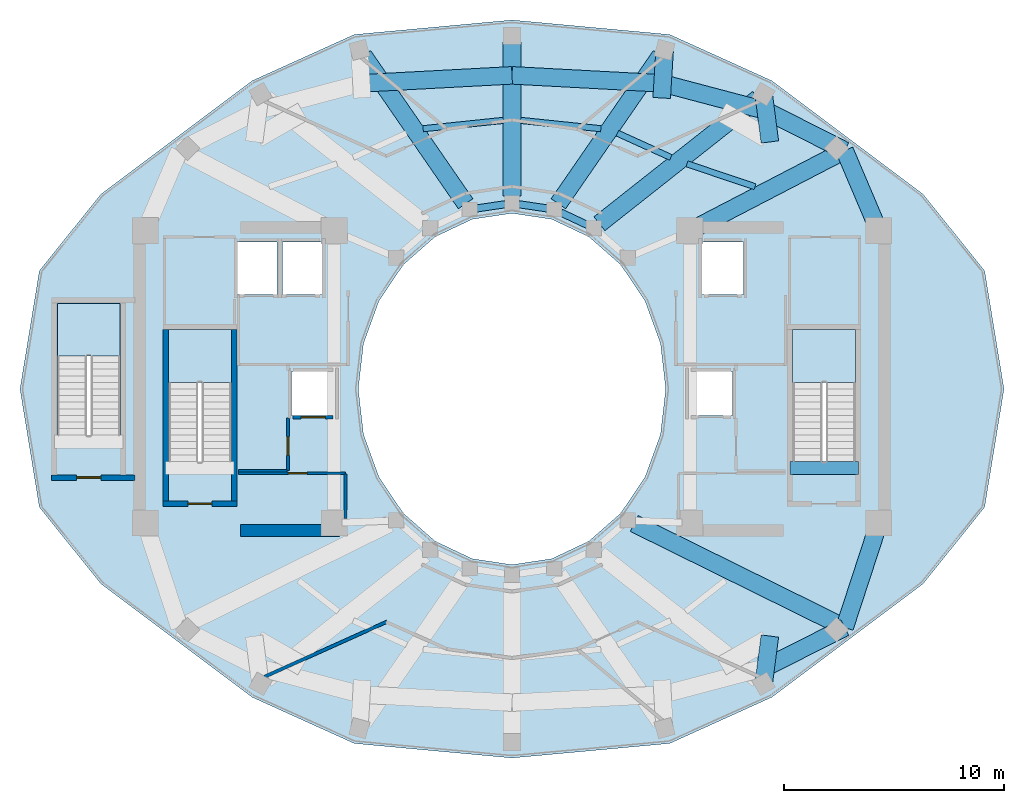
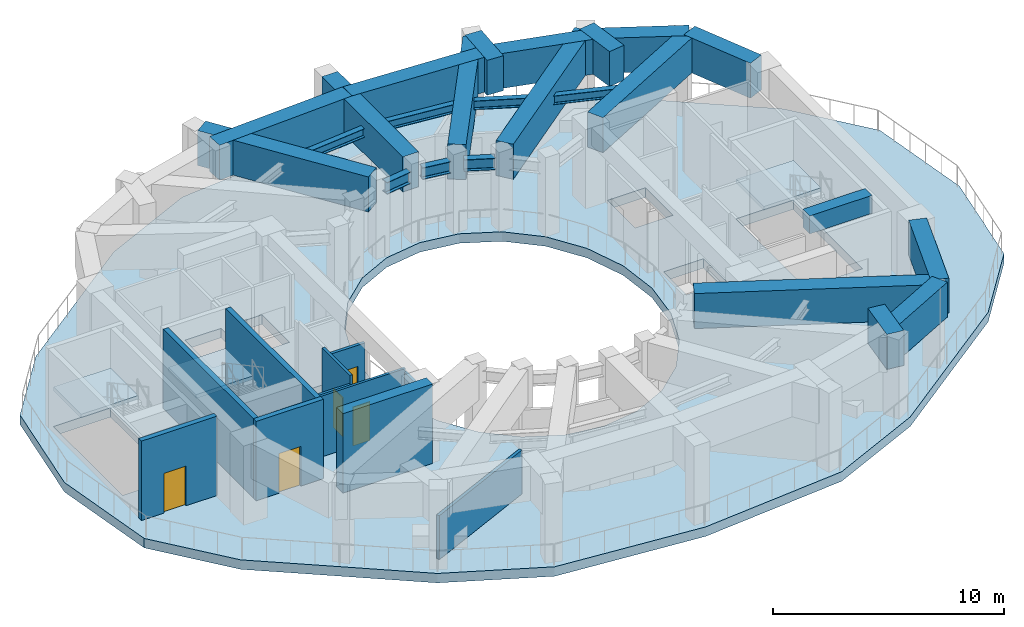
# One storey, part 2 of 9: 24 beams, 11 walls, 5 doors, 4 slabs, 5 openings, 3 elements without a shape of their own.
"""IFC4 building model written with IfcOpenShell, lengths in metres."""

from ifc_helpers import new_model, si_unit, direction, frame, frame_2d, origin, origin_2d, place, context, subcontext, project, spatial, polyline, rectangle, i_section, outline, extrude, material, layer, layer_set, material_profile, profile_set, type_object, element, fill, aggregate, save


model = new_model("IFC4")

# Units and contexts
model_context = context("Model", 3, precision=1e-05, world=origin(), true_north=direction((0.0, 1.0)))
body_context = subcontext(model_context, "Body", "Model", "MODEL_VIEW")
ifc_project = project(units=[si_unit("LENGTHUNIT", "METRE"), si_unit("AREAUNIT", "SQUARE_METRE"), si_unit("VOLUMEUNIT", "CUBIC_METRE"), si_unit("PLANEANGLEUNIT", "RADIAN"), si_unit("MASSUNIT", "GRAM", prefix="KILO")], contexts=[model_context])

# Site, building, storey
site_placement = place(None, origin())
site = spatial("IfcSite", under=ifc_project, at=site_placement, CompositionType="ELEMENT")
building_placement = place(site_placement, origin())
building = spatial("IfcBuilding", under=site, at=building_placement, Name="Solvane Sanctuary Tower", CompositionType="ELEMENT")
storey_placement = place(building_placement, frame((0.0, 0.0, 197.39990234375)))
storey = spatial("IfcBuildingStorey", under=building, at=storey_placement, Name="L60", CompositionType="ELEMENT", Elevation=197.39990234375)

# Beams
ifc_material_1 = material(Name="Concrete C70/85", Category="concrete")
ifc_material_profile_1 = material_profile(ifc_material_1, rectangle(XDim=0.60009765625, YDim=0.949951171875, at=origin_2d()), Name="RC600X950")
ifc_profile_set_1 = profile_set([ifc_material_profile_1], Name="Concrete C70/85")
beam_type_1 = type_object("IfcBeamType", Name="Beam B-COUPLE RC600X950", PredefinedType="LINTEL", material=ifc_profile_set_1)
beam_1_placement = place(storey_placement, frame((44.64990234375, 19.399169921875, 3.72509765625), z_axis=(1.0, 0.0, 0.0), x_axis=(0.0, 1.0, 0.0)))
element("IfcBeam", 1, at=beam_1_placement, inside=storey, type_object=beam_type_1, Name="L60 ST-2 Stair Floor Landing Trimmer", PredefinedType="LINTEL", context=body_context, shape_type="SweptSolid", body=[
    extrude(rectangle(XDim=0.60009765625, YDim=0.949951171875, at=origin_2d()), origin(), (0.0, 0.0, 1.0), 3.1201171875),
])
ifc_material_2 = material(Name="Steel ASTM A992 Grade 50", Category="steel")
ifc_material_profile_2 = material_profile(ifc_material_2, i_section(OverallWidth=0.324951171875, OverallDepth=0.615966796875, WebThickness=0.013916015625, FlangeThickness=0.021484375, FilletRadius=0.01611328125, at=origin_2d()), Name="W24X117")
ifc_profile_set_2 = profile_set([ifc_material_profile_2], Name="Steel ASTM A992 Grade 50")
beam_type_2 = type_object("IfcBeamType", Name="Beam B-RING-IN2 W24X117", PredefinedType="BEAM", material=ifc_profile_set_2)
for number, where, z_axis, x_axis, name in (
    (2, (30.3857421875, 31.218994140625, 3.39013671875), (0.989056121481, 0.147539786368, 0.0), (-0.147539786368, 0.989056121481, 0.0), "L60 Inner Light-Well Ring Beam IC05-IC04"),
    (3, (32.31640625, 31.41259765625, 3.39013671875), (0.989056121481, -0.147539786368, 0.0), (0.147539786368, 0.989056121481, 0.0), "L60 Inner Light-Well Ring Beam IC04-IC03"),
):
    element("IfcBeam", number, at=place(storey_placement, frame(where, z_axis=z_axis, x_axis=x_axis)), inside=storey, type_object=beam_type_2, Name=name, PredefinedType="BEAM", context=body_context, shape_type="SweptSolid", body=[
        extrude(i_section(OverallWidth=0.324951171875, OverallDepth=0.615966796875, WebThickness=0.013916015625, FlangeThickness=0.021484375, FilletRadius=0.01611328125, at=origin_2d()), origin(), (0.0, 0.0, 1.0), 1.312255859375),
    ])
beam_2_placement = place(storey_placement, frame((34.220458984375, 31.03564453125, 3.39013671875), z_axis=(0.905134542189, -0.425125229241, 0.0), x_axis=(0.425125229241, 0.905134542189, 0.0)))
element("IfcBeam", 4, at=beam_2_placement, inside=storey, type_object=beam_type_2, Name="L60 Inner Light-Well Ring Beam IC03-IC02", PredefinedType="BEAM", context=body_context, shape_type="SweptSolid", body=[
    extrude(i_section(OverallWidth=0.324951171875, OverallDepth=0.615966796875, WebThickness=0.013916015625, FlangeThickness=0.021484375, FilletRadius=0.01611328125, at=origin_2d()), origin(), (0.0, 0.0, 1.0), 1.347900390625),
])
ifc_material_profile_3 = material_profile(ifc_material_2, i_section(OverallWidth=0.280029296875, OverallDepth=0.462890625, WebThickness=0.0107421875, FlangeThickness=0.017333984375, FilletRadius=0.013916015625, at=origin_2d()), Name="W18X76")
ifc_profile_set_3 = profile_set([ifc_material_profile_3], Name="Steel ASTM A992 Grade 50")
beam_type_3 = type_object("IfcBeamType", Name="Beam B-SEC-JOIST W18X76", PredefinedType="JOIST", material=ifc_profile_set_3)
beam_3_placement = place(storey_placement, frame((27.952392578125, 34.849853515625, 3.466552734375), z_axis=(0.994655148104, 0.103252778901, 0.0), x_axis=(-0.103252778901, 0.994655148104, 0.0)))
element("IfcBeam", 5, at=beam_3_placement, inside=storey, type_object=beam_type_3, Name="L60 Secondary Circumferential Joist 05-04", PredefinedType="JOIST", context=body_context, shape_type="SweptSolid", body=[
    extrude(i_section(OverallWidth=0.280029296875, OverallDepth=0.462890625, WebThickness=0.0107421875, FlangeThickness=0.017333984375, FilletRadius=0.013916015625, at=origin_2d()), origin(), (0.0, 0.0, 1.0), 3.67431640625),
])
beam_4_placement = place(storey_placement, frame((32.392822265625, 35.229248046875, 3.466552734375), z_axis=(0.994654439673, -0.10325960313, 0.0), x_axis=(0.10325960313, 0.994654439673, 0.0)))
element("IfcBeam", 6, at=beam_4_placement, inside=storey, type_object=beam_type_3, Name="L60 Secondary Circumferential Joist 04-03", PredefinedType="JOIST", context=body_context, shape_type="SweptSolid", body=[
    extrude(i_section(OverallWidth=0.280029296875, OverallDepth=0.462890625, WebThickness=0.0107421875, FlangeThickness=0.017333984375, FilletRadius=0.013916015625, at=origin_2d()), origin(), (0.0, 0.0, 1.0), 3.674072265625),
])
beam_5_placement = place(storey_placement, frame((36.800048828125, 34.645751953125, 3.466552734375), z_axis=(0.910622872015, -0.413238411771, 0.0), x_axis=(0.413238411771, 0.910622872015, 0.0)))
element("IfcBeam", 7, at=beam_5_placement, inside=storey, type_object=beam_type_3, Name="L60 Secondary Circumferential Joist 03-02", PredefinedType="JOIST", context=body_context, shape_type="SweptSolid", body=[
    extrude(i_section(OverallWidth=0.280029296875, OverallDepth=0.462890625, WebThickness=0.0107421875, FlangeThickness=0.017333984375, FilletRadius=0.013916015625, at=origin_2d()), origin(), (0.0, 0.0, 1.0), 2.672119140625),
])
beam_6_placement = place(storey_placement, frame((39.96728515625, 33.251953125, 3.466552734375), z_axis=(0.947587535957, -0.319496262419, 0.0), x_axis=(0.319496262419, 0.947587535957, 0.0)))
element("IfcBeam", 8, at=beam_6_placement, inside=storey, type_object=beam_type_3, Name="L60 Secondary Circumferential Joist 02-01", PredefinedType="JOIST", context=body_context, shape_type="SweptSolid", body=[
    extrude(i_section(OverallWidth=0.280029296875, OverallDepth=0.462890625, WebThickness=0.0107421875, FlangeThickness=0.017333984375, FilletRadius=0.013916015625, at=origin_2d()), origin(), (0.0, 0.0, 1.0), 3.269775390625),
])
ifc_material_profile_4 = material_profile(ifc_material_1, rectangle(XDim=0.800048828125, YDim=1.85009765625, at=origin_2d()), Name="RC800X1850")
ifc_profile_set_4 = profile_set([ifc_material_profile_4], Name="Concrete C70/85")
beam_type_4 = type_object("IfcBeamType", Name="Beam B-XFER-BLK RC800X1850", PredefinedType="BEAM", material=ifc_profile_set_4)
beam_7_placement = place(storey_placement, frame((40.41943359375, 30.365966796875, 3.275146484375), z_axis=(0.88755891037, 0.460694237671, 0.0), x_axis=(-0.460694237671, 0.88755891037, 0.0)))
element("IfcBeam", 9, at=beam_7_placement, inside=storey, type_object=beam_type_4, Name="L60 Block-Shift Radial Transfer Girder 01A", PredefinedType="BEAM", context=body_context, shape_type="SweptSolid", body=[
    extrude(rectangle(XDim=0.800048828125, YDim=1.85009765625, at=origin_2d()), origin(), (0.0, 0.0, 1.0), 7.57763671875),
])
beam_8_placement = place(storey_placement, frame((35.981201171875, 30.52490234375, 3.275146484375), z_axis=(0.784698765769, 0.619877283824, 0.0), x_axis=(-0.619877283824, 0.784698765769, 0.0)))
element("IfcBeam", 10, at=beam_8_placement, inside=storey, type_object=beam_type_4, Name="L60 Block-Shift Radial Transfer Girder 02A", PredefinedType="BEAM", context=body_context, shape_type="SweptSolid", body=[
    extrude(rectangle(XDim=0.800048828125, YDim=1.85009765625, at=origin_2d()), origin(), (0.0, 0.0, 1.0), 9.205810546875),
])
beam_9_placement = place(storey_placement, frame((43.462646484375, 36.380126953125, 3.275146484375), z_axis=(0.129567347912, -0.991570623988, 0.0), x_axis=(0.991570623988, 0.129567347912, 0.0)))
element("IfcBeam", 11, at=beam_9_placement, inside=storey, type_object=beam_type_4, Name="L60 Block-Shift Transfer Tie 02B", PredefinedType="BEAM", context=body_context, shape_type="SweptSolid", body=[
    extrude(rectangle(XDim=0.800048828125, YDim=1.85009765625, at=origin_2d()), origin(), (0.0, 0.0, 1.0), 2.14990234375),
])
beam_10_placement = place(storey_placement, frame((34.112548828125, 31.43505859375, 3.275146484375), z_axis=(0.567906920468, 0.823092783157, 0.0), x_axis=(-0.823092783157, 0.567906920468, 0.0)))
element("IfcBeam", 12, at=beam_10_placement, inside=storey, type_object=beam_type_4, Name="L60 Block-Shift Radial Transfer Girder 03A", PredefinedType="BEAM", context=body_context, shape_type="SweptSolid", body=[
    extrude(rectangle(XDim=0.800048828125, YDim=1.85009765625, at=origin_2d()), origin(), (0.0, 0.0, 1.0), 8.197998046875),
])
beam_11_placement = place(storey_placement, frame((38.94677734375, 38.396484375, 3.275146484375), z_axis=(-0.061091593214, -0.998132164214, 0.0), x_axis=(0.998132164214, -0.061091593214, 0.0)))
element("IfcBeam", 13, at=beam_11_placement, inside=storey, type_object=beam_type_4, Name="L60 Block-Shift Transfer Tie 03B", PredefinedType="BEAM", context=body_context, shape_type="SweptSolid", body=[
    extrude(rectangle(XDim=0.800048828125, YDim=1.85009765625, at=origin_2d()), origin(), (0.0, 0.0, 1.0), 2.14990234375),
])
beam_12_placement = place(storey_placement, frame((32.0, 31.780029296875, 3.275146484375), z_axis=(0.0, 1.0, 0.0), x_axis=(-1.0, 0.0, 0.0)))
element("IfcBeam", 14, at=beam_12_placement, inside=storey, type_object=beam_type_4, Name="L60 Block-Shift Radial Transfer Girder 04A", PredefinedType="BEAM", context=body_context, shape_type="SweptSolid", body=[
    extrude(rectangle(XDim=0.800048828125, YDim=1.85009765625, at=origin_2d()), origin(), (0.0, 0.0, 1.0), 7.02001953125),
])
beam_13_placement = place(storey_placement, frame((29.887451171875, 31.43505859375, 3.275146484375), z_axis=(-0.567906920468, 0.823092783157, 0.0), x_axis=(-0.823092783157, -0.567906920468, 0.0)))
element("IfcBeam", 15, at=beam_13_placement, inside=storey, type_object=beam_type_4, Name="L60 Block-Shift Radial Transfer Girder 05A", PredefinedType="BEAM", context=body_context, shape_type="SweptSolid", body=[
    extrude(rectangle(XDim=0.800048828125, YDim=1.85009765625, at=origin_2d()), origin(), (0.0, 0.0, 1.0), 8.197998046875),
])
beam_14_placement = place(storey_placement, frame((43.462646484375, 9.619873046875, 3.275146484375), z_axis=(0.129567347912, 0.991570623988, 0.0), x_axis=(-0.991570623988, 0.129567347912, 0.0)))
element("IfcBeam", 16, at=beam_14_placement, inside=storey, type_object=beam_type_4, Name="L60 Block-Shift Transfer Tie 13B", PredefinedType="BEAM", context=body_context, shape_type="SweptSolid", body=[
    extrude(rectangle(XDim=0.800048828125, YDim=1.85009765625, at=origin_2d()), origin(), (0.0, 0.0, 1.0), 2.14990234375),
])
beam_15_placement = place(storey_placement, frame((37.56201171875, 16.876220703125, 3.275146484375), z_axis=(0.896600237992, -0.442840844134, 0.0), x_axis=(0.442840844134, 0.896600237992, 0.0)))
element("IfcBeam", 17, at=beam_15_placement, inside=storey, type_object=beam_type_4, Name="L60 Block-Shift Radial Transfer Girder 14A", PredefinedType="BEAM", context=body_context, shape_type="SweptSolid", body=[
    extrude(rectangle(XDim=0.800048828125, YDim=1.85009765625, at=origin_2d()), origin(), (0.0, 0.0, 1.0), 10.688232421875),
])
for number, where, z_axis, x_axis, name in (
    (18, (25.143798828125, 36.914306640625, 3.275146484375), (0.998580350788, 0.053266152672, 0.0), (-0.053266152672, 0.998580350788, 0.0), "L60 Perimeter Step Transfer Ring NTC05-NTC04"),
    (19, (32.0, 37.280029296875, 3.275146484375), (0.998580350788, -0.053266152672, 0.0), (0.053266152672, 0.998580350788, 0.0), "L60 Perimeter Step Transfer Ring NTC04-NTC03"),
):
    element("IfcBeam", number, at=place(storey_placement, frame(where, z_axis=z_axis, x_axis=x_axis)), inside=storey, type_object=beam_type_4, Name=name, PredefinedType="BEAM", context=body_context, shape_type="SweptSolid", body=[
        extrude(rectangle(XDim=0.800048828125, YDim=1.85009765625, at=origin_2d()), origin(), (0.0, 0.0, 1.0), 6.865966796875),
    ])
beam_16_placement = place(storey_placement, frame((38.856201171875, 36.914306640625, 3.275146484375), z_axis=(0.966814415535, -0.255479717224, 0.0), x_axis=(0.255479717224, 0.966814415535, 0.0)))
element("IfcBeam", 20, at=beam_16_placement, inside=storey, type_object=beam_type_4, Name="L60 Perimeter Step Transfer Ring NTC03-NTC02", PredefinedType="BEAM", context=body_context, shape_type="SweptSolid", body=[
    extrude(rectangle(XDim=0.800048828125, YDim=1.85009765625, at=origin_2d()), origin(), (0.0, 0.0, 1.0), 4.8603515625),
])
beam_17_placement = place(storey_placement, frame((43.55517578125, 35.672607421875, 3.275146484375), z_axis=(0.892354283523, -0.451335609804, 0.0), x_axis=(0.451335609804, 0.892354283523, 0.0)))
element("IfcBeam", 21, at=beam_17_placement, inside=storey, type_object=beam_type_4, Name="L60 Perimeter Step Transfer Ring NTC02-NTC01", PredefinedType="BEAM", context=body_context, shape_type="SweptSolid", body=[
    extrude(rectangle(XDim=0.800048828125, YDim=1.85009765625, at=origin_2d()), origin(), (0.0, 0.0, 1.0), 4.02294921875),
])
beam_18_placement = place(storey_placement, frame((47.14501953125, 33.85693359375, 3.275146484375), z_axis=(0.391292272536, -0.920266460029, 0.0), x_axis=(0.920266460029, 0.391292272536, 0.0)))
element("IfcBeam", 22, at=beam_18_placement, inside=storey, type_object=beam_type_4, Name="L60 Perimeter Step Transfer Ring NTC01-CE3", PredefinedType="BEAM", context=body_context, shape_type="SweptSolid", body=[
    extrude(rectangle(XDim=0.800048828125, YDim=1.85009765625, at=origin_2d()), origin(), (0.0, 0.0, 1.0), 3.61376953125),
])
beam_19_placement = place(storey_placement, frame((43.55517578125, 10.327392578125, 3.275146484375), z_axis=(0.892354283523, 0.451335609804, 0.0), x_axis=(-0.451335609804, 0.892354283523, 0.0)))
element("IfcBeam", 23, at=beam_19_placement, inside=storey, type_object=beam_type_4, Name="L60 Perimeter Step Transfer Ring NTC13-NTC14", PredefinedType="BEAM", context=body_context, shape_type="SweptSolid", body=[
    extrude(rectangle(XDim=0.800048828125, YDim=1.85009765625, at=origin_2d()), origin(), (0.0, 0.0, 1.0), 4.02294921875),
])
beam_20_placement = place(storey_placement, frame((47.14501953125, 12.14306640625, 3.275146484375), z_axis=(0.310703240014, 0.950506968225, 0.0), x_axis=(-0.950506968225, 0.310703240014, 0.0)))
element("IfcBeam", 24, at=beam_20_placement, inside=storey, type_object=beam_type_4, Name="L60 Perimeter Step Transfer Ring NTC14-CE2", PredefinedType="BEAM", context=body_context, shape_type="SweptSolid", body=[
    extrude(rectangle(XDim=0.800048828125, YDim=1.85009765625, at=origin_2d()), origin(), (0.0, 0.0, 1.0), 4.644775390625),
])

# Stair, slab
ifc_material_3 = material(Name="Concrete C45/55", Category="concrete")
stair_type = type_object("IfcStairType", Name="Stair ST-TOW", PredefinedType="HALF_TURN_STAIR", material=ifc_material_3)
stair_1_placement = place(storey_placement, origin())
stair_1 = element("IfcStair", 25, at=stair_1_placement, inside=storey, type_object=stair_type, Name="L60 Exit Stair ST-1 West Core", PredefinedType="HALF_TURN_STAIR")
ifc_layer_1 = layer(ifc_material_3, 0.199951171875, Name="Concrete C45/55")
ifc_layer_set_1 = layer_set([ifc_layer_1], Name="Concrete C45/55")
slab_type_1 = type_object("IfcSlabType", Name="Slab SL-LAND-180", PredefinedType="LANDING", material=ifc_layer_set_1)
slab_1_placement = place(storey_placement, frame((0.0, 0.0, 1.900146484375)))
slab_1 = element("IfcSlab", 26, at=slab_1_placement, type_object=slab_type_1, Name="ST-1 landing 1", PredefinedType="LANDING", context=body_context, shape_type="SweptSolid", body=[
    extrude(outline(polyline([(19.219970703125, 23.300048828125), (19.219970703125, 25.699951171875), (16.360107421875, 25.699951171875), (16.360107421875, 23.300048828125), (19.219970703125, 23.300048828125)])), origin(), (0.0, 0.0, 1.0), 0.199951171875),
])
aggregate(stair_1, [slab_1])

stair_2_placement = place(storey_placement, origin())
stair_2 = element("IfcStair", 27, at=stair_2_placement, inside=storey, type_object=stair_type, Name="L60 Exit Stair ST-2 East Core", PredefinedType="HALF_TURN_STAIR")
slab_2_placement = place(storey_placement, frame((0.0, 0.0, 1.900146484375)))
slab_2 = element("IfcSlab", 28, at=slab_2_placement, type_object=slab_type_1, Name="ST-2 landing 1", PredefinedType="LANDING", context=body_context, shape_type="SweptSolid", body=[
    extrude(outline(polyline([(47.639892578125, 23.300048828125), (47.639892578125, 25.699951171875), (44.780029296875, 25.699951171875), (44.780029296875, 23.300048828125), (47.639892578125, 23.300048828125)])), origin(), (0.0, 0.0, 1.0), 0.199951171875),
])
aggregate(stair_2, [slab_2])

stair_3_placement = place(storey_placement, origin())
stair_3 = element("IfcStair", 29, at=stair_3_placement, inside=storey, type_object=stair_type, Name="L60 Exit Stair ST-3 Pilgrim Tower Stair", PredefinedType="HALF_TURN_STAIR")
slab_3_placement = place(storey_placement, frame((0.0, 0.0, 1.900146484375)))
slab_3 = element("IfcSlab", 30, at=slab_3_placement, type_object=slab_type_1, Name="ST-3 landing 1", PredefinedType="LANDING", context=body_context, shape_type="SweptSolid", body=[
    extrude(outline(polyline([(14.159912109375, 24.5), (14.159912109375, 26.89990234375), (11.300048828125, 26.89990234375), (11.300048828125, 24.5), (14.159912109375, 24.5)])), origin(), (0.0, 0.0, 1.0), 0.199951171875),
])
aggregate(stair_3, [slab_3])

# Slab
ifc_material_4 = material(Name="Concrete C60/75", Category="concrete")
ifc_layer_2 = layer(ifc_material_4, 0.5, Name="Concrete C60/75")
ifc_layer_set_2 = layer_set([ifc_layer_2], Name="Concrete C60/75")
slab_type_2 = type_object("IfcSlabType", Name="Slab SL-XFER-500", PredefinedType="FLOOR", material=ifc_layer_set_2)
slab_4_placement = place(storey_placement, frame((0.0, 0.0, -0.5)))
element("IfcSlab", 31, at=slab_4_placement, inside=storey, type_object=slab_type_2, Name="L60 Primary Structural Slab", PredefinedType="FLOOR", context=body_context, shape_type="SweptSolid", body=[
    extrude(outline(polyline([(54.39990234375, 23.0), (53.517333984375, 28.385498046875), (50.7080078125, 31.87744140625), (47.270751953125, 34.453125), (43.836669921875, 37.031005859375), (39.1806640625, 39.137939453125), (32.0, 39.800048828125), (24.8193359375, 39.137939453125), (20.163330078125, 37.031005859375), (16.729248046875, 34.453125), (13.2919921875, 31.87744140625), (10.482666015625, 28.385498046875), (9.60009765625, 23.0), (10.482666015625, 17.614501953125), (13.2919921875, 14.12255859375), (16.729248046875, 11.546875), (20.163330078125, 8.968994140625), (24.8193359375, 6.862060546875), (32.0, 6.199951171875), (39.1806640625, 6.862060546875), (43.836669921875, 8.968994140625), (47.270751953125, 11.546875), (50.7080078125, 14.12255859375), (53.517333984375, 17.614501953125), (54.39990234375, 23.0)]), holes=[polyline([(38.761474609375, 20.929443359375), (38.062255859375, 19.0), (36.94970703125, 17.343017578125), (35.5, 16.07177734375), (33.811767578125, 15.272705078125), (32.0, 15.0), (30.188232421875, 15.272705078125), (28.5, 16.07177734375), (27.05029296875, 17.343017578125), (25.937744140625, 19.0), (25.238525390625, 20.929443359375), (25.0, 23.0), (25.238525390625, 25.070556640625), (25.937744140625, 27.0), (27.05029296875, 28.656982421875), (28.5, 29.92822265625), (30.188232421875, 30.727294921875), (32.0, 31.0), (33.811767578125, 30.727294921875), (35.5, 29.92822265625), (36.94970703125, 28.656982421875), (38.062255859375, 27.0), (38.761474609375, 25.070556640625), (39.0, 23.0), (38.761474609375, 20.929443359375)]), polyline([(16.360107421875, 19.699951171875), (16.360107421875, 25.699951171875), (19.219970703125, 25.699951171875), (19.219970703125, 19.699951171875), (16.360107421875, 19.699951171875)]), polyline([(44.780029296875, 19.699951171875), (44.780029296875, 25.699951171875), (47.639892578125, 25.699951171875), (47.639892578125, 19.699951171875), (44.780029296875, 19.699951171875)]), polyline([(11.300048828125, 20.89990234375), (11.300048828125, 26.89990234375), (14.159912109375, 26.89990234375), (14.159912109375, 20.89990234375), (11.300048828125, 20.89990234375)]), polyline([(21.949951171875, 23.800048828125), (23.949951171875, 23.800048828125), (23.949951171875, 21.800048828125), (21.949951171875, 21.800048828125), (21.949951171875, 23.800048828125)]), polyline([(40.050048828125, 23.800048828125), (42.050048828125, 23.800048828125), (42.050048828125, 21.800048828125), (40.050048828125, 21.800048828125), (40.050048828125, 23.800048828125)]), polyline([(19.5, 29.699951171875), (21.300048828125, 29.699951171875), (21.300048828125, 27.300048828125), (19.5, 27.300048828125), (19.5, 29.699951171875)]), polyline([(21.550048828125, 29.699951171875), (23.35009765625, 29.699951171875), (23.35009765625, 27.300048828125), (21.550048828125, 27.300048828125), (21.550048828125, 29.699951171875)]), polyline([(40.64990234375, 29.699951171875), (42.550048828125, 29.699951171875), (42.550048828125, 27.300048828125), (40.64990234375, 27.300048828125), (40.64990234375, 29.699951171875)])]), origin(), (0.0, 0.0, 1.0), 0.5),
])

# Walls
ifc_material_5 = material(Name="Concrete C50/60", Category="concrete")
ifc_layer_3 = layer(ifc_material_5, 0.550048828125, Name="Concrete C50/60")
ifc_layer_set_3 = layer_set([ifc_layer_3], Name="Concrete C50/60")
wall_type_1 = type_object("IfcWallType", Name="Wall W-CORE-550", PredefinedType="SHEAR", material=ifc_layer_set_3)
wall_1_placement = place(storey_placement, frame((19.64990234375, 16.550048828125, 0.0), z_axis=(0.0, 0.0, 1.0), x_axis=(1.0, 0.0, 0.0)))
element("IfcWall", 32, at=wall_1_placement, inside=storey, type_object=wall_type_1, Name="L60 Core Shear Wall WC-S", PredefinedType="SHEAR", context=body_context, shape_type="SweptSolid", body=[
    extrude(rectangle(XDim=4.5, YDim=0.550048828125, at=frame_2d((2.25, 0.0))), origin(), (0.0, 0.0, 1.0), 4.2001953125),
])
ifc_material_6 = material(Name="Acoustic Gypsum Partition Board")
ifc_layer_4 = layer(ifc_material_6, 0.14990234375, Name="Acoustic Gypsum Partition Board")
ifc_layer_set_4 = layer_set([ifc_layer_4], Name="Acoustic Gypsum Partition Board")
wall_type_2 = type_object("IfcWallType", Name="Wall W-CORR-150", PredefinedType="PARTITIONING", material=ifc_layer_set_4)
wall_2_placement = place(storey_placement, frame((26.320556640625, 12.41162109375, 0.0), z_axis=(0.0, 0.0, 1.0), x_axis=(-0.912031098102, -0.410121050538, 0.0)))
element("IfcWall", 33, at=wall_2_placement, inside=storey, type_object=wall_type_2, Name="L60 Refuge Area Radial Screen 240", PredefinedType="PARTITIONING", context=body_context, shape_type="SweptSolid", body=[
    extrude(rectangle(XDim=6.12548828125, YDim=0.14990234375, at=frame_2d((3.062744140625, 0.0))), origin(), (0.0, 0.0, 1.0), 2.320068359375),
])

# Wall, opening, door
ifc_layer_5 = layer(ifc_material_6, 0.125, Name="Acoustic Gypsum Partition Board")
ifc_layer_set_5 = layer_set([ifc_layer_5], Name="Acoustic Gypsum Partition Board")
wall_type_3 = type_object("IfcWallType", Name="Wall W-PART-125", PredefinedType="PARTITIONING", material=ifc_layer_set_5)
wall_3_placement = place(storey_placement, frame((19.550048828125, 19.159912109375, 0.0), z_axis=(0.0, 0.0, 1.0), x_axis=(1.0, 0.0, 0.0)))
wall_3 = element("IfcWall", 34, at=wall_3_placement, inside=storey, type_object=wall_type_3, Name="L60 Reclaimed Room Partition PLW", PredefinedType="PARTITIONING", context=body_context, shape_type="SweptSolid", body=[
    extrude(rectangle(XDim=4.869873046875, YDim=0.125, at=frame_2d((2.43505859375, 0.0))), origin(), (0.0, 0.0, 1.0), 3.22021484375),
])
opening_1_placement = place(wall_3_placement, frame((2.271728515625, 0.0, 0.0)))
opening_1 = element("IfcOpeningElement", 35, at=opening_1_placement, cuts=wall_3, Name="Opening D-L60-06", PredefinedType="OPENING", context=body_context, shape_type="SweptSolid", body=[
    extrude(rectangle(XDim=0.85009765625, YDim=2.050048828125, at=frame_2d((0.425048828125, 1.02490234375))), frame((0.0, 0.072509765625, 0.0), z_axis=(0.0, -1.0, 0.0), x_axis=(1.0, 0.0, 0.0)), (0.0, 0.0, 1.0), 0.14501953125),
])
ifc_material_7 = material(Name="Architectural Stainless Steel 316", Category="steel")
door_type_1 = type_object("IfcDoorType", Name="Door D-RISER", OperationType="NOTDEFINED", PredefinedType="DOOR", material=ifc_material_7)
door_1_placement = place(opening_1_placement, origin())
door_1 = element("IfcDoor", 36, at=door_1_placement, inside=storey, type_object=door_type_1, Name="L60 Reclaimed Room Door PLW-1", OperationType="SINGLE_SWING_LEFT", OverallHeight=2.050048828125, OverallWidth=0.85009765625, PredefinedType="DOOR", context=body_context, shape_type="SweptSolid", body=[
    extrude(rectangle(XDim=0.85009765625, YDim=2.050048828125, at=frame_2d((0.425048828125, 1.02490234375))), frame((0.0, 0.02490234375, 0.0), z_axis=(0.0, -1.0, 0.0), x_axis=(1.0, 0.0, 0.0)), (0.0, 0.0, 1.0), 0.050048828125),
])
fill(opening_1, door_1)

# Wall
wall_4_placement = place(storey_placement, frame((24.419921875, 17.10009765625, 0.0), z_axis=(0.0, 0.0, 1.0), x_axis=(0.0, 1.0, 0.0)))
element("IfcWall", 37, at=wall_4_placement, inside=storey, type_object=wall_type_3, Name="L60 Reclaimed Room Closer Wall PLW-1", PredefinedType="PARTITIONING", context=body_context, shape_type="SweptSolid", body=[
    extrude(rectangle(XDim=2.039794921875, YDim=0.125, at=frame_2d((1.02001953125, 0.0))), origin(), (0.0, 0.0, 1.0), 3.052001953125),
])

# Wall, opening, door
wall_5_placement = place(storey_placement, frame((21.800048828125, 19.280029296875, 0.0), z_axis=(0.0, 0.0, 1.0), x_axis=(0.0, 1.0, 0.0)))
wall_5 = element("IfcWall", 38, at=wall_5_placement, inside=storey, type_object=wall_type_3, Name="L60 Reclaimed Room Partition PMW", PredefinedType="PARTITIONING", context=body_context, shape_type="SweptSolid", body=[
    extrude(rectangle(XDim=2.39990234375, YDim=0.125, at=frame_2d((1.199951171875, 0.0))), origin(), (0.0, 0.0, 1.0), 3.675048828125),
])
opening_2_placement = place(wall_5_placement, frame((0.699951171875, 0.0, 0.0)))
opening_2 = element("IfcOpeningElement", 39, at=opening_2_placement, cuts=wall_5, Name="Opening D-L60-08", PredefinedType="OPENING", context=body_context, shape_type="SweptSolid", body=[
    extrude(rectangle(XDim=0.85009765625, YDim=2.050048828125, at=frame_2d((0.425048828125, 1.02490234375))), frame((0.0, 0.072509765625, 0.0), z_axis=(0.0, -1.0, 0.0), x_axis=(1.0, 0.0, 0.0)), (0.0, 0.0, 1.0), 0.14501953125),
])
door_2_placement = place(opening_2_placement, origin())
door_2 = element("IfcDoor", 40, at=door_2_placement, inside=storey, type_object=door_type_1, Name="L60 Reclaimed Room Door PMW-1", OperationType="SINGLE_SWING_LEFT", OverallHeight=2.050048828125, OverallWidth=0.85009765625, PredefinedType="DOOR", context=body_context, shape_type="SweptSolid", body=[
    extrude(rectangle(XDim=0.85009765625, YDim=2.050048828125, at=frame_2d((0.425048828125, 1.02490234375))), frame((0.0, 0.02490234375, 0.0), z_axis=(0.0, -1.0, 0.0), x_axis=(1.0, 0.0, 0.0)), (0.0, 0.0, 1.0), 0.050048828125),
])
fill(opening_2, door_2)

# Wall
wall_6_placement = place(storey_placement, frame((19.550048828125, 19.280029296875, 0.0), z_axis=(0.0, 0.0, 1.0), x_axis=(1.0, 0.0, 0.0)))
element("IfcWall", 41, at=wall_6_placement, inside=storey, type_object=wall_type_3, Name="L60 Reclaimed Room Closer Wall PMW-1", PredefinedType="PARTITIONING", context=body_context, shape_type="SweptSolid", body=[
    extrude(rectangle(XDim=2.2099609375, YDim=0.125, at=frame_2d((1.10498046875, 0.0))), origin(), (0.0, 0.0, 1.0), 3.22021484375),
])

# Wall, opening, door
ifc_layer_6 = layer(ifc_material_5, 0.14990234375, Name="Concrete C50/60")
ifc_layer_set_6 = layer_set([ifc_layer_6], Name="Concrete C50/60")
wall_type_4 = type_object("IfcWallType", Name="Wall W-SHAFT-150", PredefinedType="SOLIDWALL", material=ifc_layer_set_6)
wall_7_placement = place(storey_placement, frame((22.0400390625, 21.719970703125, 0.0), z_axis=(0.0, 0.0, 1.0), x_axis=(1.0, 0.0, 0.0)))
wall_7 = element("IfcWall", 42, at=wall_7_placement, inside=storey, type_object=wall_type_4, Name="L60 PH-1 Lift Shaft Wall F", PredefinedType="SOLIDWALL", context=body_context, shape_type="SweptSolid", body=[
    extrude(rectangle(XDim=1.820068359375, YDim=0.14990234375, at=frame_2d((0.91015625, 0.0))), origin(), (0.0, 0.0, 1.0), 3.22021484375),
])
opening_3_placement = place(wall_7_placement, frame((0.360107421875, 0.0, 0.0)))
opening_3 = element("IfcOpeningElement", 43, at=opening_3_placement, cuts=wall_7, Name="Opening LD-L60-01", PredefinedType="OPENING", context=body_context, shape_type="SweptSolid", body=[
    extrude(rectangle(XDim=1.10009765625, YDim=2.10009765625, at=frame_2d((0.550048828125, 1.050048828125))), frame((0.0, 0.0849609375, 0.0), z_axis=(0.0, -1.0, 0.0), x_axis=(1.0, 0.0, 0.0)), (0.0, 0.0, 1.0), 0.169921875),
])
door_type_2 = type_object("IfcDoorType", Name="Door LD-PASS-1100", OperationType="NOTDEFINED", PredefinedType="DOOR", material=ifc_material_7)
door_3_placement = place(opening_3_placement, origin())
door_3 = element("IfcDoor", 44, at=door_3_placement, inside=storey, type_object=door_type_2, Name="L60 PH-1 Lift Landing Door", OperationType="DOUBLE_DOOR_SLIDING", OverallHeight=2.10009765625, OverallWidth=1.10009765625, PredefinedType="DOOR", context=body_context, shape_type="SweptSolid", body=[
    extrude(rectangle(XDim=1.10009765625, YDim=2.10009765625, at=frame_2d((0.550048828125, 1.050048828125))), frame((0.0, 0.02490234375, 0.0), z_axis=(0.0, -1.0, 0.0), x_axis=(1.0, 0.0, 0.0)), (0.0, 0.0, 1.0), 0.050048828125),
])
fill(opening_3, door_3)

ifc_layer_7 = layer(ifc_material_5, 0.25, Name="Concrete C50/60")
ifc_layer_set_7 = layer_set([ifc_layer_7], Name="Concrete C50/60")
wall_type_5 = type_object("IfcWallType", Name="Wall W-SHAFT-250", PredefinedType="SOLIDWALL", material=ifc_layer_set_7)
wall_8_placement = place(storey_placement, frame((16.10498046875, 17.77001953125, 0.0), z_axis=(0.0, 0.0, 1.0), x_axis=(1.0, 0.0, 0.0)))
wall_8 = element("IfcWall", 45, at=wall_8_placement, inside=storey, type_object=wall_type_5, Name="L60 ST-1 Load-Bearing Shaft Wall S", PredefinedType="SOLIDWALL", context=body_context, shape_type="SweptSolid", body=[
    extrude(rectangle(XDim=3.3701171875, YDim=0.25, at=frame_2d((1.68505859375, 0.0))), origin(), (0.0, 0.0, 1.0), 4.2001953125),
])
opening_4_placement = place(wall_8_placement, frame((1.135009765625, 0.0, 0.0)))
opening_4 = element("IfcOpeningElement", 46, at=opening_4_placement, cuts=wall_8, Name="Opening D-L60-01", PredefinedType="OPENING", context=body_context, shape_type="SweptSolid", body=[
    extrude(rectangle(XDim=1.10009765625, YDim=2.10009765625, at=frame_2d((0.550048828125, 1.050048828125))), frame((0.0, 0.135009765625, 0.0), z_axis=(0.0, -1.0, 0.0), x_axis=(1.0, 0.0, 0.0)), (0.0, 0.0, 1.0), 0.27001953125),
])
door_type_3 = type_object("IfcDoorType", Name="Door D-STAIR", OperationType="NOTDEFINED", PredefinedType="DOOR", material=ifc_material_7)
door_4_placement = place(opening_4_placement, origin())
door_4 = element("IfcDoor", 47, at=door_4_placement, inside=storey, type_object=door_type_3, Name="L60 ST-1 Exit Stair Fire Door", OperationType="SINGLE_SWING_RIGHT", OverallHeight=2.10009765625, OverallWidth=1.10009765625, PredefinedType="DOOR", context=body_context, shape_type="SweptSolid", body=[
    extrude(rectangle(XDim=1.10009765625, YDim=2.10009765625, at=frame_2d((0.550048828125, 1.050048828125))), frame((0.0, 0.02490234375, 0.0), z_axis=(0.0, -1.0, 0.0), x_axis=(1.0, 0.0, 0.0)), (0.0, 0.0, 1.0), 0.050048828125),
])
fill(opening_4, door_4)

# Walls
for number, where, z_axis, x_axis, name in (
    (48, (16.22998046875, 17.89501953125, 0.0), (0.0, 0.0, 1.0), (0.0, 1.0, 0.0), "L60 ST-1 Load-Bearing Shaft Wall W"),
    (49, (19.35009765625, 17.89501953125, 0.0), (0.0, 0.0, 1.0), (0.0, 1.0, 0.0), "L60 ST-1 Load-Bearing Shaft Wall E"),
):
    element("IfcWall", number, at=place(storey_placement, frame(where, z_axis=z_axis, x_axis=x_axis)), inside=storey, type_object=wall_type_5, Name=name, PredefinedType="SOLIDWALL", context=body_context, shape_type="SweptSolid", body=[
        extrude(rectangle(XDim=7.81005859375, YDim=0.25, at=frame_2d((3.905029296875, 0.0))), origin(), (0.0, 0.0, 1.0), 4.2001953125),
    ])

# Wall, opening, door
wall_9_placement = place(storey_placement, frame((11.044921875, 18.969970703125, 0.0), z_axis=(0.0, 0.0, 1.0), x_axis=(1.0, 0.0, 0.0)))
wall_9 = element("IfcWall", 50, at=wall_9_placement, inside=storey, type_object=wall_type_5, Name="L60 ST-3 Load-Bearing Shaft Wall S", PredefinedType="SOLIDWALL", context=body_context, shape_type="SweptSolid", body=[
    extrude(rectangle(XDim=3.781982421875, YDim=0.25, at=frame_2d((1.89111328125, 0.0))), origin(), (0.0, 0.0, 1.0), 4.2001953125),
])
opening_5_placement = place(wall_9_placement, frame((1.135009765625, 0.0, 0.0)))
opening_5 = element("IfcOpeningElement", 51, at=opening_5_placement, cuts=wall_9, Name="Opening D-L60-03", PredefinedType="OPENING", context=body_context, shape_type="SweptSolid", body=[
    extrude(rectangle(XDim=1.10009765625, YDim=2.10009765625, at=frame_2d((0.550048828125, 1.050048828125))), frame((0.0, 0.135009765625, 0.0), z_axis=(0.0, -1.0, 0.0), x_axis=(1.0, 0.0, 0.0)), (0.0, 0.0, 1.0), 0.27001953125),
])
door_5_placement = place(opening_5_placement, origin())
door_5 = element("IfcDoor", 52, at=door_5_placement, inside=storey, type_object=door_type_3, Name="L60 ST-3 Exit Stair Fire Door", OperationType="SINGLE_SWING_RIGHT", OverallHeight=2.10009765625, OverallWidth=1.10009765625, PredefinedType="DOOR", context=body_context, shape_type="SweptSolid", body=[
    extrude(rectangle(XDim=1.10009765625, YDim=2.10009765625, at=frame_2d((0.550048828125, 1.050048828125))), frame((0.0, 0.02490234375, 0.0), z_axis=(0.0, -1.0, 0.0), x_axis=(1.0, 0.0, 0.0)), (0.0, 0.0, 1.0), 0.050048828125),
])
fill(opening_5, door_5)

save(model, "model.ifc")
